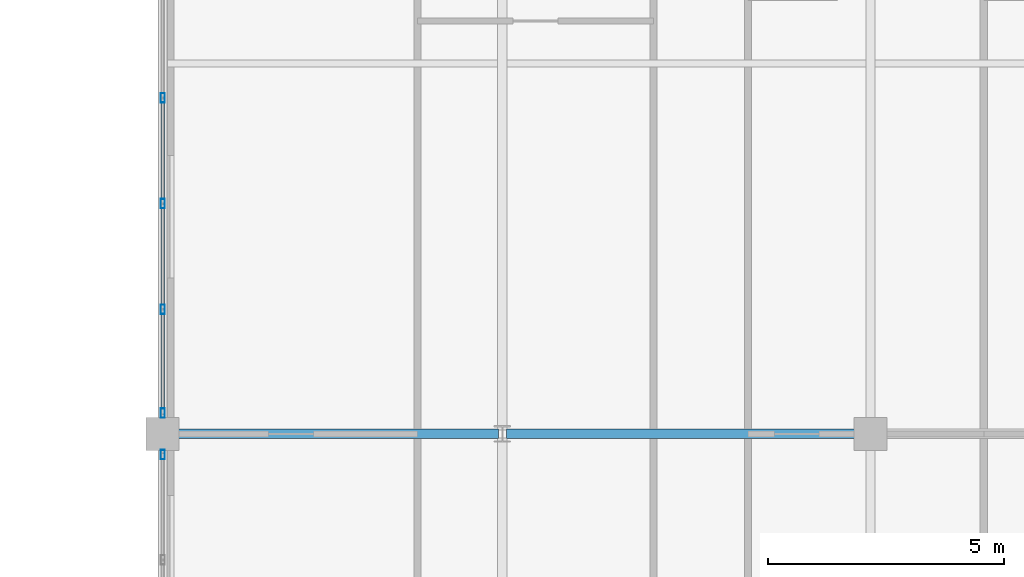
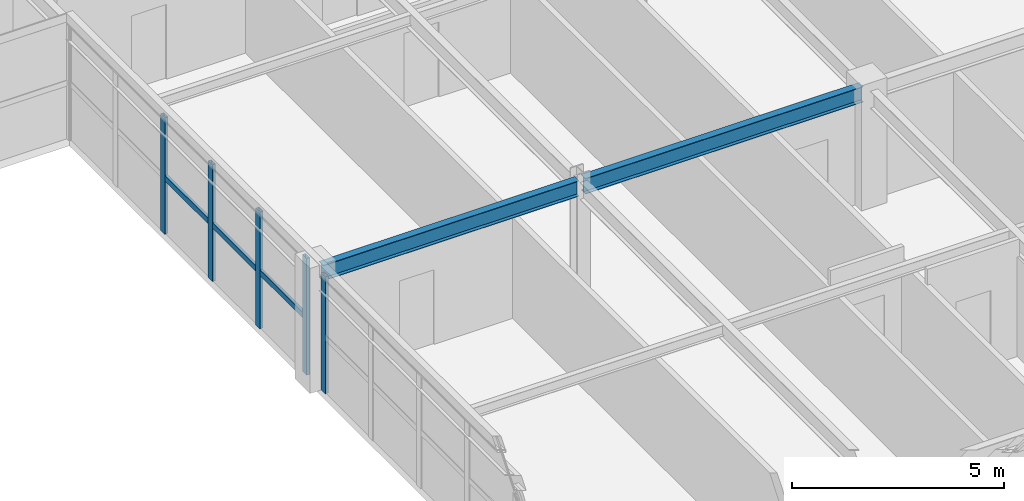
# One storey, part 14 of 35: 8 members, 2 beams, 2 elements without a shape of their own.
"""IFC4 building model written with IfcOpenShell, lengths in metres."""

from ifc_helpers import new_model, si_unit, direction, frame, origin, origin_2d, place, context, subcontext, project, spatial, hollow_rectangle, i_section, extrude, source, transform, mapped, material, material_profile, profile_set, type_object, element, aggregate, save


model = new_model("IFC4")

# Units and contexts
model_context = context("Model", 3, precision=1e-05, world=origin(), true_north=direction((0.0, 1.0)))
body_context = subcontext(model_context, "Body", "Model", "MODEL_VIEW")
ifc_project = project(units=[si_unit("LENGTHUNIT", "METRE"), si_unit("AREAUNIT", "SQUARE_METRE"), si_unit("VOLUMEUNIT", "CUBIC_METRE"), si_unit("PLANEANGLEUNIT", "RADIAN"), si_unit("MASSUNIT", "GRAM", prefix="KILO")], contexts=[model_context])

# Site, building, storey
site_placement = place(None, origin())
site = spatial("IfcSite", under=ifc_project, at=site_placement, CompositionType="ELEMENT")
building_placement = place(site_placement, origin())
building = spatial("IfcBuilding", under=site, at=building_placement, Name="Trelvane Seafront Commons", CompositionType="ELEMENT")
storey_placement = place(building_placement, frame((0.0, 0.0, 194.10009765625)))
storey = spatial("IfcBuildingStorey", under=building, at=storey_placement, Name="L50", CompositionType="ELEMENT", Elevation=194.10009765625)

# Beams
ifc_material_1 = material(Name="Steel SM355 (S355)", Category="steel")
ifc_material_profile_1 = material_profile(ifc_material_1, i_section(OverallWidth=0.199951171875, OverallDepth=0.449951171875, WebThickness=0.009033203125, FlangeThickness=0.013916015625, at=origin_2d()), Name="H-450x200x9x14")
ifc_profile_set_1 = profile_set([ifc_material_profile_1], Name="Steel SM355 (S355)")
beam_type = type_object("IfcBeamType", Name="STR-SPD-H450", PredefinedType="SPANDREL", material=ifc_profile_set_1)
shared_shape_1 = source(origin(), body_context, "Body", "SweptSolid", [
    extrude(i_section(OverallWidth=0.199951171875, OverallDepth=0.449951171875, WebThickness=0.009033203125, FlangeThickness=0.013916015625, at=origin_2d()), origin(), (0.0, 0.0, 1.0), 7.5625),
])
beam_1_placement = place(storey_placement, frame((51.08740234375, 18.199951171875, 3.135009765625), z_axis=(1.0, 0.0, 0.0), x_axis=(0.0, 1.0, 0.0)))
element("IfcBeam", 1, at=beam_1_placement, inside=storey, type_object=beam_type, Name="L50 Primary Girder G-13", PredefinedType="SPANDREL", context=body_context, shape_type="MappedRepresentation", body=[
    mapped(shared_shape_1, transform((0.0, 0.0, 0.0), x_axis=(1.0, 0.0, 0.0), y_axis=(0.0, 1.0, 0.0), z_axis=(0.0, 0.0, 1.0), scale=1.0)),
])
shared_shape_2 = source(origin(), body_context, "Body", "SweptSolid", [
    extrude(i_section(OverallWidth=0.199951171875, OverallDepth=0.449951171875, WebThickness=0.009033203125, FlangeThickness=0.013916015625, at=origin_2d()), origin(), (0.0, 0.0, 1.0), 6.962646484375),
])
beam_2_placement = place(storey_placement, frame((43.949951171875, 18.199951171875, 3.135009765625), z_axis=(1.0, 0.0, 0.0), x_axis=(0.0, 1.0, 0.0)))
element("IfcBeam", 2, at=beam_2_placement, inside=storey, type_object=beam_type, Name="L50 Primary Girder G-12", PredefinedType="SPANDREL", context=body_context, shape_type="MappedRepresentation", body=[
    mapped(shared_shape_2, transform((0.0, 0.0, 0.0), x_axis=(1.0, 0.0, 0.0), y_axis=(0.0, 1.0, 0.0), z_axis=(0.0, 0.0, 1.0), scale=1.0)),
])

# Curtain wall, members
ifc_material_2 = material(Name="Anodised pale-silver aluminium", Category="aluminium")
curtain_wall_type = type_object("IfcCurtainWallType", Name="ARCH-CW3-PORTAL", PredefinedType="NOTDEFINED", material=ifc_material_2)
curtain_wall_1_placement = place(storey_placement, origin())
curtain_wall_1 = element("IfcCurtainWall", 3, at=curtain_wall_1_placement, inside=storey, type_object=curtain_wall_type, Name="CW-L50-VP-0082", PredefinedType="NOTDEFINED")
ifc_material_profile_2 = material_profile(ifc_material_2, hollow_rectangle(XDim=0.090087890625, YDim=0.199951171875, WallThickness=0.0048828125, at=origin_2d()), Name="MULL-90x200x5")
ifc_profile_set_2 = profile_set([ifc_material_profile_2], Name="Anodised pale-silver aluminium")
member_type_1 = type_object("IfcMemberType", Name="ARCH-CW-MULL-200", PredefinedType="MULLION", material=ifc_profile_set_2)
shared_shape_3 = source(origin(), body_context, "Body", "SweptSolid", [
    extrude(hollow_rectangle(XDim=0.090087890625, YDim=0.199951171875, WallThickness=0.0048828125, at=origin_2d()), origin(), (0.0, 0.0, 1.0), 3.35986328125),
])
member_1_placement = place(storey_placement, frame((43.800048828125, 25.320068359375, 0.0), z_axis=(0.0, 0.0, 1.0), x_axis=(1.0, 0.0, 0.0)))
member_1 = element("IfcMember", 4, at=member_1_placement, type_object=member_type_1, Name="CW-L50-VP-0082-M02", PredefinedType="MULLION", context=body_context, shape_type="MappedRepresentation", body=[
    mapped(shared_shape_3, transform((0.0, 0.0, 0.0), x_axis=(1.0, 0.0, 0.0), y_axis=(0.0, 1.0, 0.0), z_axis=(0.0, 0.0, 1.0), scale=1.0)),
])
member_2_placement = place(storey_placement, frame((43.800048828125, 23.080078125, 0.0), z_axis=(0.0, 0.0, 1.0), x_axis=(1.0, 0.0, 0.0)))
member_2 = element("IfcMember", 5, at=member_2_placement, type_object=member_type_1, Name="CW-L50-VP-0082-M03", PredefinedType="MULLION", context=body_context, shape_type="MappedRepresentation", body=[
    mapped(shared_shape_3, transform((0.0, 0.0, 0.0), x_axis=(1.0, 0.0, 0.0), y_axis=(0.0, 1.0, 0.0), z_axis=(0.0, 0.0, 1.0), scale=1.0)),
])
member_3_placement = place(storey_placement, frame((43.800048828125, 20.840087890625, 0.0), z_axis=(0.0, 0.0, 1.0), x_axis=(1.0, 0.0, 0.0)))
member_3 = element("IfcMember", 6, at=member_3_placement, type_object=member_type_1, Name="CW-L50-VP-0082-M04", PredefinedType="MULLION", context=body_context, shape_type="MappedRepresentation", body=[
    mapped(shared_shape_3, transform((0.0, 0.0, 0.0), x_axis=(1.0, 0.0, 0.0), y_axis=(0.0, 1.0, 0.0), z_axis=(0.0, 0.0, 1.0), scale=1.0)),
])
member_4_placement = place(storey_placement, frame((43.800048828125, 18.639892578125, 0.0), z_axis=(0.0, 0.0, 1.0), x_axis=(1.0, 0.0, 0.0)))
member_4 = element("IfcMember", 7, at=member_4_placement, type_object=member_type_1, Name="CW-L50-VP-0082-M05", PredefinedType="MULLION", context=body_context, shape_type="MappedRepresentation", body=[
    mapped(shared_shape_3, transform((0.0, 0.0, 0.0), x_axis=(1.0, 0.0, 0.0), y_axis=(0.0, 1.0, 0.0), z_axis=(0.0, 0.0, 1.0), scale=1.0)),
])

# Curtain wall, member
curtain_wall_2_placement = place(storey_placement, origin())
curtain_wall_2 = element("IfcCurtainWall", 8, at=curtain_wall_2_placement, inside=storey, type_object=curtain_wall_type, Name="CW-L50-VP-0083", PredefinedType="NOTDEFINED")
member_5_placement = place(storey_placement, frame((43.800048828125, 17.760009765625, 0.0), z_axis=(0.0, 0.0, 1.0), x_axis=(1.0, 0.0, 0.0)))
member_5 = element("IfcMember", 9, at=member_5_placement, type_object=member_type_1, Name="CW-L50-VP-0083-M00", PredefinedType="MULLION", context=body_context, shape_type="MappedRepresentation", body=[
    mapped(shared_shape_3, transform((0.0, 0.0, 0.0), x_axis=(1.0, 0.0, 0.0), y_axis=(0.0, 1.0, 0.0), z_axis=(0.0, 0.0, 1.0), scale=1.0)),
])
aggregate(curtain_wall_2, [member_5])

# Member
ifc_material_profile_3 = material_profile(ifc_material_2, hollow_rectangle(XDim=0.080078125, YDim=0.159912109375, WallThickness=0.00439453125, at=origin_2d()), Name="TRAN-80x160x4.5")
ifc_profile_set_3 = profile_set([ifc_material_profile_3], Name="Anodised pale-silver aluminium")
member_type_2 = type_object("IfcMemberType", Name="ARCH-CW-TRAN-160", PredefinedType="USERDEFINED", material=ifc_profile_set_3)
shared_shape_4 = source(origin(), body_context, "Body", "SweptSolid", [
    extrude(hollow_rectangle(XDim=0.080078125, YDim=0.159912109375, WallThickness=0.00439453125, at=origin_2d()), origin(), (0.0, 0.0, 1.0), 2.2158203125),
])
member_6_placement = place(storey_placement, frame((43.800048828125, 20.827880859375, 1.61279296875), z_axis=(0.0, -1.0, 0.0), x_axis=(1.0, 0.0, 0.0)))
member_6 = element("IfcMember", 10, at=member_6_placement, type_object=member_type_2, Name="CW-L50-VP-0082-T04", ObjectType="TRANSOM", PredefinedType="USERDEFINED", context=body_context, shape_type="MappedRepresentation", body=[
    mapped(shared_shape_4, transform((0.0, 0.0, 0.0), x_axis=(1.0, 0.0, 0.0), y_axis=(0.0, 1.0, 0.0), z_axis=(0.0, 0.0, 1.0), scale=1.0)),
])

shared_shape_5 = source(origin(), body_context, "Body", "SweptSolid", [
    extrude(hollow_rectangle(XDim=0.080078125, YDim=0.159912109375, WallThickness=0.00439453125, at=origin_2d()), origin(), (0.0, 0.0, 1.0), 2.216064453125),
])
member_7_placement = place(storey_placement, frame((43.800048828125, 25.30810546875, 1.61279296875), z_axis=(0.0, -1.0, 0.0), x_axis=(1.0, 0.0, 0.0)))
member_7 = element("IfcMember", 11, at=member_7_placement, type_object=member_type_2, Name="CW-L50-VP-0082-T02", ObjectType="TRANSOM", PredefinedType="USERDEFINED", context=body_context, shape_type="MappedRepresentation", body=[
    mapped(shared_shape_5, transform((0.0, 0.0, 0.0), x_axis=(1.0, 0.0, 0.0), y_axis=(0.0, 1.0, 0.0), z_axis=(0.0, 0.0, 1.0), scale=1.0)),
])

member_8_placement = place(storey_placement, frame((43.800048828125, 23.068115234375, 1.61279296875), z_axis=(0.0, -1.0, 0.0), x_axis=(1.0, 0.0, 0.0)))
member_8 = element("IfcMember", 12, at=member_8_placement, type_object=member_type_2, Name="CW-L50-VP-0082-T03", ObjectType="TRANSOM", PredefinedType="USERDEFINED", context=body_context, shape_type="MappedRepresentation", body=[
    mapped(shared_shape_5, transform((0.0, 0.0, 0.0), x_axis=(1.0, 0.0, 0.0), y_axis=(0.0, 1.0, 0.0), z_axis=(0.0, 0.0, 1.0), scale=1.0)),
])

aggregate(curtain_wall_1, [member_1, member_2, member_3, member_4, member_7, member_8, member_6])

save(model, "model.ifc")
